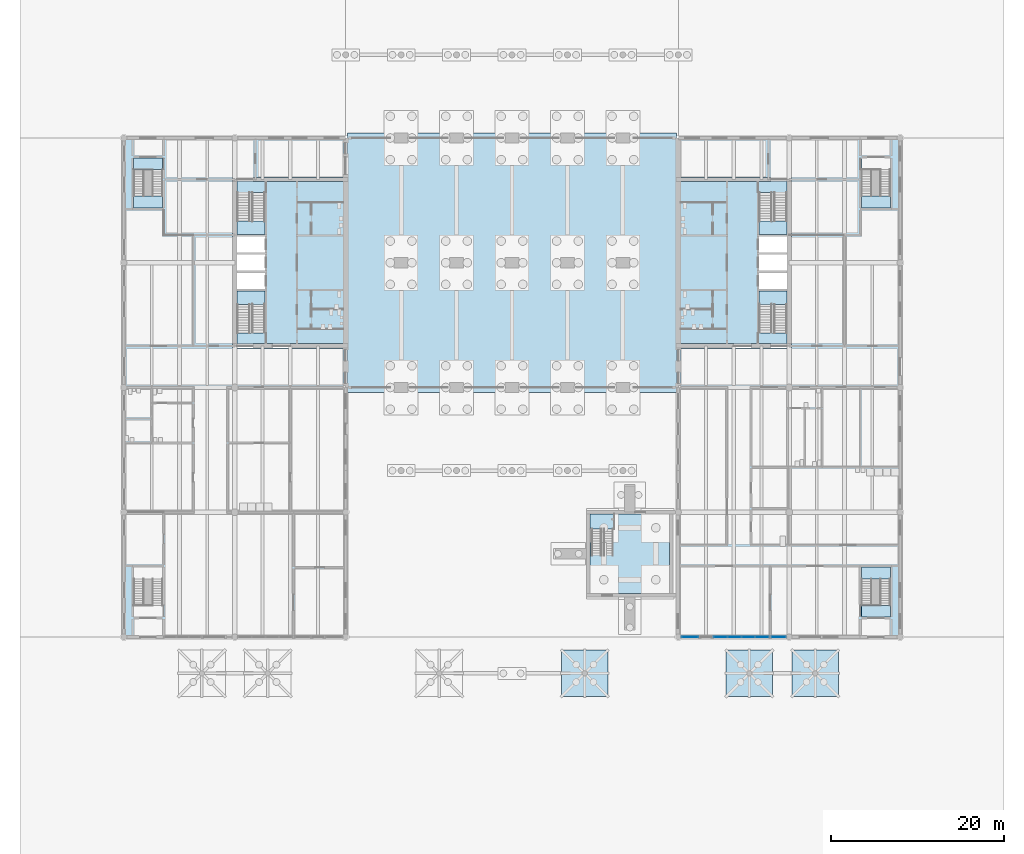
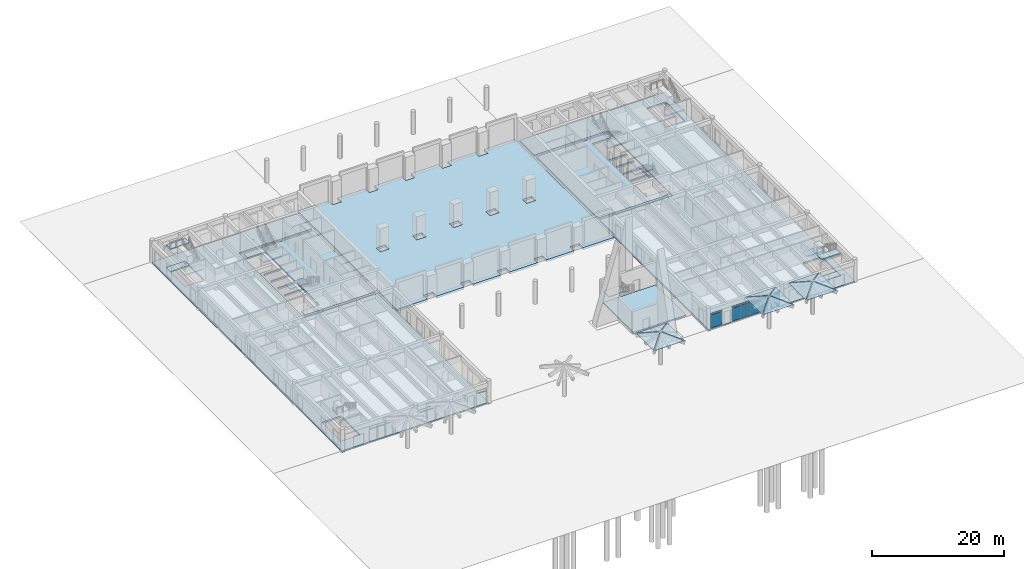
# One storey, part 10 of 28: 30 slabs, 12 plates, 11 elements without a shape of their own.
"""IFC4 building model written with IfcOpenShell, lengths in metres."""

from ifc_helpers import new_model, si_unit, direction, frame, origin, origin_2d, place, context, subcontext, project, spatial, polyline, rectangle, outline, extrude, material, layer, layer_set, type_object, element, aggregate, save


model = new_model("IFC4")

# Units and contexts
model_context = context("Model", 3, precision=1e-05, world=origin(), true_north=direction((0.0, 1.0)))
body_context = subcontext(model_context, "Body", "Model", "MODEL_VIEW")
ifc_project = project(units=[si_unit("LENGTHUNIT", "METRE"), si_unit("AREAUNIT", "SQUARE_METRE"), si_unit("VOLUMEUNIT", "CUBIC_METRE"), si_unit("PLANEANGLEUNIT", "RADIAN"), si_unit("MASSUNIT", "GRAM", prefix="KILO")], contexts=[model_context])

# Site, building, storey
site_placement = place(None, origin())
site = spatial("IfcSite", under=ifc_project, at=site_placement, CompositionType="ELEMENT")
building_placement = place(site_placement, origin())
building = spatial("IfcBuilding", under=site, at=building_placement, Name="Fogon Plaza Fire Station and Headquarters Tower", CompositionType="ELEMENT")
storey_placement = place(building_placement, origin())
storey = spatial("IfcBuildingStorey", under=building, at=storey_placement, Name="L00", CompositionType="ELEMENT", Elevation=0.0)

# Slabs
ifc_material_1 = material(Name="Concrete C40", Category="concrete")
ifc_layer_1 = layer(ifc_material_1, 0.25)
ifc_layer_set_1 = layer_set([ifc_layer_1], Name="Concrete C40")
slab_type_1 = type_object("IfcSlabType", Name="Base slab 250 G25", PredefinedType="BASESLAB", material=ifc_layer_set_1)
slab_1_placement = place(storey_placement, frame((0.0, 0.0, -0.25)))
element("IfcSlab", 1, at=slab_1_placement, inside=storey, type_object=slab_type_1, Name="slab-drill-L00", PredefinedType="BASESLAB", context=body_context, shape_type="SweptSolid", body=[
    extrude(outline(polyline([(63.0, 5.0), (63.0, 14.199951171875), (53.800048828125, 14.199951171875), (53.800048828125, 5.0), (63.0, 5.0)])), origin(), (0.0, 0.0, 1.0), 0.25),
])
ifc_material_2 = material(Name="Concrete C40", Category="concrete")
ifc_layer_2 = layer(ifc_material_2, 0.39990234375)
ifc_layer_set_2 = layer_set([ifc_layer_2], Name="Concrete C40")
slab_type_2 = type_object("IfcSlabType", Name="Base slab 400 S40", PredefinedType="BASESLAB", material=ifc_layer_set_2)
slab_2_placement = place(storey_placement, frame((0.0, 0.0, -0.39990234375)))
element("IfcSlab", 2, at=slab_2_placement, inside=storey, type_object=slab_type_2, Name="slab-bay-grade", PredefinedType="BASESLAB", context=body_context, shape_type="SweptSolid", body=[
    extrude(outline(polyline([(63.77490234375, 28.199951171875), (58.39990234375, 28.199951171875), (58.39990234375, 29.39990234375), (56.800048828125, 29.39990234375), (56.800048828125, 28.199951171875), (52.0, 28.199951171875), (52.0, 29.39990234375), (50.39990234375, 29.39990234375), (50.39990234375, 28.199951171875), (45.60009765625, 28.199951171875), (45.60009765625, 29.39990234375), (44.0, 29.39990234375), (44.0, 28.199951171875), (39.199951171875, 28.199951171875), (39.199951171875, 29.39990234375), (37.60009765625, 29.39990234375), (37.60009765625, 28.199951171875), (32.800048828125, 28.199951171875), (32.800048828125, 29.39990234375), (31.199951171875, 29.39990234375), (31.199951171875, 28.199951171875), (25.824951171875, 28.199951171875), (25.824951171875, 33.35009765625), (25.85009765625, 33.35009765625), (25.85009765625, 53.050048828125), (25.824951171875, 53.050048828125), (25.824951171875, 58.199951171875), (31.199951171875, 58.199951171875), (31.199951171875, 57.0), (32.800048828125, 57.0), (32.800048828125, 58.199951171875), (37.60009765625, 58.199951171875), (37.60009765625, 57.0), (39.199951171875, 57.0), (39.199951171875, 58.199951171875), (44.0, 58.199951171875), (44.0, 57.0), (45.60009765625, 57.0), (45.60009765625, 58.199951171875), (50.39990234375, 58.199951171875), (50.39990234375, 57.0), (52.0, 57.0), (52.0, 58.199951171875), (56.800048828125, 58.199951171875), (56.800048828125, 57.0), (58.39990234375, 57.0), (58.39990234375, 58.199951171875), (63.77490234375, 58.199951171875), (63.77490234375, 53.050048828125), (63.75, 53.050048828125), (63.75, 33.35009765625), (63.77490234375, 33.35009765625), (63.77490234375, 28.199951171875)]), holes=[polyline([(32.800048828125, 43.800048828125), (31.199951171875, 43.800048828125), (31.199951171875, 42.60009765625), (32.800048828125, 42.60009765625), (32.800048828125, 43.800048828125)]), polyline([(39.199951171875, 43.800048828125), (37.60009765625, 43.800048828125), (37.60009765625, 42.60009765625), (39.199951171875, 42.60009765625), (39.199951171875, 43.800048828125)]), polyline([(45.60009765625, 43.800048828125), (44.0, 43.800048828125), (44.0, 42.60009765625), (45.60009765625, 42.60009765625), (45.60009765625, 43.800048828125)]), polyline([(52.0, 43.800048828125), (50.39990234375, 43.800048828125), (50.39990234375, 42.60009765625), (52.0, 42.60009765625), (52.0, 43.800048828125)]), polyline([(58.39990234375, 43.800048828125), (56.800048828125, 43.800048828125), (56.800048828125, 42.60009765625), (58.39990234375, 42.60009765625), (58.39990234375, 43.800048828125)])]), origin(), (0.0, 0.0, 1.0), 0.39990234375),
])
ifc_material_3 = material(Name="Concrete C40", Category="concrete")
ifc_layer_3 = layer(ifc_material_3, 0.300048828125)
ifc_layer_set_3 = layer_set([ifc_layer_3], Name="Concrete C40")
slab_type_3 = type_object("IfcSlabType", Name="Core Floor Slab RC 300", PredefinedType="FLOOR", material=ifc_layer_set_3)
slab_3_placement = place(storey_placement, frame((0.0, 0.0, -0.300048828125)))
element("IfcSlab", 3, at=slab_3_placement, inside=storey, type_object=slab_type_3, Name="Core A floor", PredefinedType="FLOOR", context=body_context, shape_type="SweptSolid", body=[
    extrude(outline(polyline([(13.050048828125, 35.110107421875), (13.050048828125, 33.85009765625), (25.35009765625, 33.85009765625), (25.35009765625, 52.550048828125), (13.050048828125, 52.550048828125), (13.050048828125, 51.2900390625), (16.27490234375, 51.2900390625), (16.27490234375, 46.47509765625), (13.050048828125, 46.47509765625), (13.050048828125, 46.22509765625), (16.27490234375, 46.22509765625), (16.27490234375, 44.375), (13.050048828125, 44.375), (13.050048828125, 44.125), (16.27490234375, 44.125), (16.27490234375, 42.27490234375), (13.050048828125, 42.27490234375), (13.050048828125, 42.02490234375), (16.27490234375, 42.02490234375), (16.27490234375, 40.175048828125), (13.050048828125, 40.175048828125), (13.050048828125, 39.925048828125), (16.27490234375, 39.925048828125), (16.27490234375, 35.110107421875), (13.050048828125, 35.110107421875)])), origin(), (0.0, 0.0, 1.0), 0.300048828125),
])
slab_4_placement = place(storey_placement, frame((0.0, 0.0, -0.300048828125)))
element("IfcSlab", 4, at=slab_4_placement, inside=storey, type_object=slab_type_3, Name="Core B floor", PredefinedType="FLOOR", context=body_context, shape_type="SweptSolid", body=[
    extrude(outline(polyline([(76.550048828125, 35.110107421875), (73.324951171875, 35.110107421875), (73.324951171875, 39.925048828125), (76.550048828125, 39.925048828125), (76.550048828125, 40.175048828125), (73.324951171875, 40.175048828125), (73.324951171875, 42.02490234375), (76.550048828125, 42.02490234375), (76.550048828125, 42.27490234375), (73.324951171875, 42.27490234375), (73.324951171875, 44.125), (76.550048828125, 44.125), (76.550048828125, 44.375), (73.324951171875, 44.375), (73.324951171875, 46.22509765625), (76.550048828125, 46.22509765625), (76.550048828125, 46.47509765625), (73.324951171875, 46.47509765625), (73.324951171875, 51.2900390625), (76.550048828125, 51.2900390625), (76.550048828125, 52.550048828125), (64.25, 52.550048828125), (64.25, 33.85009765625), (76.550048828125, 33.85009765625), (76.550048828125, 35.110107421875)])), origin(), (0.0, 0.0, 1.0), 0.300048828125),
])

# Stair, slab
ifc_material_4 = material(Name="Concrete C40", Category="concrete")
stair_type_1 = type_object("IfcStairType", Name="Drill Stair 1100", PredefinedType="HALF_TURN_STAIR", material=ifc_material_4)
stair_1_placement = place(storey_placement, origin())
stair_1 = element("IfcStair", 5, at=stair_1_placement, inside=storey, type_object=stair_type_1, Name="DT1", PredefinedType="HALF_TURN_STAIR")
ifc_material_5 = material(Name="Concrete C40", Category="concrete")
ifc_layer_4 = layer(ifc_material_5, 0.199951171875)
ifc_layer_set_4 = layer_set([ifc_layer_4], Name="Concrete C40")
slab_type_4 = type_object("IfcSlabType", Name="Drill Stair Landing 200", PredefinedType="LANDING", material=ifc_layer_set_4)
slab_5_placement = place(storey_placement, frame((0.0, 0.0, 1.89990234375)))
slab_5 = element("IfcSlab", 6, at=slab_5_placement, type_object=slab_type_4, Name="DT1 landing 1", PredefinedType="LANDING", context=body_context, shape_type="SweptSolid", body=[
    extrude(outline(polyline([(53.800048828125, 12.47998046875), (56.60009765625, 12.47998046875), (56.60009765625, 14.199951171875), (53.800048828125, 14.199951171875), (53.800048828125, 12.47998046875)])), origin(), (0.0, 0.0, 1.0), 0.2001953125),
])
aggregate(stair_1, [slab_5])

# Slabs
ifc_material_6 = material(Name="Concrete C40", Category="concrete")
ifc_layer_5 = layer(ifc_material_6, 0.300048828125)
ifc_layer_set_5 = layer_set([ifc_layer_5], Name="Concrete C40")
slab_type_5 = type_object("IfcSlabType", Name="Floor slab 300 S30", PredefinedType="FLOOR", material=ifc_layer_set_5)
slab_6_placement = place(storey_placement, frame((0.0, 0.0, -0.300048828125)))
element("IfcSlab", 7, at=slab_6_placement, inside=storey, type_object=slab_type_5, Name="slab-L00-W", PredefinedType="FLOOR", context=body_context, shape_type="SweptSolid", body=[
    extrude(outline(polyline([(25.60009765625, 0.0), (0.0, 0.0), (0.0, 57.60009765625), (25.375, 57.60009765625), (25.375, 53.050048828125), (12.550048828125, 53.050048828125), (12.550048828125, 33.35009765625), (25.375, 33.35009765625), (25.375, 28.800048828125), (25.60009765625, 28.800048828125), (25.60009765625, 0.0)]), holes=[polyline([(4.47509765625, 2.324951171875), (4.47509765625, 8.074951171875), (1.125, 8.074951171875), (1.125, 2.324951171875), (4.47509765625, 2.324951171875)]), polyline([(1.125, 49.52490234375), (4.47509765625, 49.52490234375), (4.47509765625, 55.27490234375), (1.125, 55.27490234375), (1.125, 49.52490234375)])]), origin(), (0.0, 0.0, 1.0), 0.300048828125),
])
slab_7_placement = place(storey_placement, frame((0.0, 0.0, -0.300048828125)))
element("IfcSlab", 8, at=slab_7_placement, inside=storey, type_object=slab_type_5, Name="slab-L00-E", PredefinedType="FLOOR", context=body_context, shape_type="SweptSolid", body=[
    extrude(outline(polyline([(64.0, 0.0), (89.60009765625, 0.0), (89.60009765625, 57.60009765625), (64.22509765625, 57.60009765625), (64.22509765625, 53.050048828125), (77.050048828125, 53.050048828125), (77.050048828125, 33.35009765625), (64.22509765625, 33.35009765625), (64.22509765625, 28.800048828125), (64.0, 28.800048828125), (64.0, 0.0)]), holes=[polyline([(85.125, 2.324951171875), (85.125, 8.074951171875), (88.47509765625, 8.074951171875), (88.47509765625, 2.324951171875), (85.125, 2.324951171875)]), polyline([(88.47509765625, 49.52490234375), (85.125, 49.52490234375), (85.125, 55.27490234375), (88.47509765625, 55.27490234375), (88.47509765625, 49.52490234375)])]), origin(), (0.0, 0.0, 1.0), 0.300048828125),
])
ifc_material_7 = material(Name="Concrete C40", Category="concrete")
ifc_layer_6 = layer(ifc_material_7, 0.1201171875)
ifc_layer_set_6 = layer_set([ifc_layer_6], Name="Concrete C40")
slab_type_6 = type_object("IfcSlabType", Name="Roof slab 120 R12", PredefinedType="ROOF", material=ifc_layer_set_6)
slab_8_placement = place(storey_placement, frame((50.57080078125, -6.89990234375, 5.0), z_axis=(0.0, -0.347351224218, 0.937735104939), x_axis=(0.684032398801, 0.684032398801, 0.253375915945)))
element("IfcSlab", 9, at=slab_8_placement, inside=storey, type_object=slab_type_6, Name="slab-umb-U4-1", PredefinedType="ROOF", context=body_context, shape_type="SweptSolid", body=[
    extrude(outline(polyline([(0.0, 0.0), (3.8436050620316355, -3.3306690738754696e-16), (3.597015097112746, -3.8358541534474866), (0.0, 0.0)])), origin(), (0.0, 0.0, -1.0), 0.1201171875),
])
slab_9_placement = place(storey_placement, frame((55.89990234375, -6.829345703125, 5.0), z_axis=(0.347351224218, 0.0, 0.937735104939), x_axis=(-0.684002678959, 0.684066194854, 0.253364907268)))
element("IfcSlab", 10, at=slab_9_placement, inside=storey, type_object=slab_type_6, Name="slab-umb-U4-2", PredefinedType="ROOF", context=body_context, shape_type="SweptSolid", body=[
    extrude(outline(polyline([(0.0, 0.0), (3.843772066254584, -1.6653345369377348e-16), (3.5971928151774017, -3.8356874932420437), (0.0, 0.0)])), origin(), (0.0, 0.0, -1.0), 0.1201171875),
])
slab_10_placement = place(storey_placement, frame((55.829345703125, -1.5, 5.0), z_axis=(0.0, 0.347322863268, 0.937745609775), x_axis=(-0.684036476126, -0.684036476126, 0.253353900025)))
element("IfcSlab", 11, at=slab_10_placement, inside=storey, type_object=slab_type_6, Name="slab-umb-U4-3", PredefinedType="ROOF", context=body_context, shape_type="SweptSolid", body=[
    extrude(outline(polyline([(0.0, 0.0), (3.8439390632218466, 1.3877787807814457e-16), (3.597036537910537, -3.835834047546104), (0.0, 0.0)])), origin(), (0.0, 0.0, -1.0), 0.1201171875),
])
slab_11_placement = place(storey_placement, frame((50.5, -1.57080078125, 5.0), z_axis=(-0.347322863268, 0.0, 0.937745609775), x_axis=(0.684066194854, -0.684002678959, 0.253364907268)))
element("IfcSlab", 12, at=slab_11_placement, inside=storey, type_object=slab_type_6, Name="slab-umb-U4-4", PredefinedType="ROOF", context=body_context, shape_type="SweptSolid", body=[
    extrude(outline(polyline([(0.0, 0.0), (3.843772066254584, -3.3306690738754696e-16), (3.596858813987506, -3.836000699637286), (0.0, 0.0)])), origin(), (0.0, 0.0, -1.0), 0.1201171875),
])
slab_12_placement = place(storey_placement, frame((69.57080078125, -6.89990234375, 5.0), z_axis=(0.0, -0.347351224218, 0.937735104939), x_axis=(0.684032398801, 0.684032398801, 0.253375915945)))
element("IfcSlab", 13, at=slab_12_placement, inside=storey, type_object=slab_type_6, Name="slab-umb-U5-1", PredefinedType="ROOF", context=body_context, shape_type="SweptSolid", body=[
    extrude(outline(polyline([(0.0, 0.0), (3.8436050620316355, -3.3306690738754696e-16), (3.597015097112746, -3.8358541534474866), (0.0, 0.0)])), origin(), (0.0, 0.0, -1.0), 0.1201171875),
])
slab_13_placement = place(storey_placement, frame((74.89990234375, -6.829345703125, 5.0), z_axis=(0.347351224218, 0.0, 0.937735104939), x_axis=(-0.684002678959, 0.684066194854, 0.253364907268)))
element("IfcSlab", 14, at=slab_13_placement, inside=storey, type_object=slab_type_6, Name="slab-umb-U5-2", PredefinedType="ROOF", context=body_context, shape_type="SweptSolid", body=[
    extrude(outline(polyline([(0.0, 0.0), (3.843772066254584, -1.6653345369377348e-16), (3.5971928151774017, -3.8356874932420437), (0.0, 0.0)])), origin(), (0.0, 0.0, -1.0), 0.1201171875),
])
slab_14_placement = place(storey_placement, frame((74.829345703125, -1.5, 5.0), z_axis=(0.0, 0.347322863268, 0.937745609775), x_axis=(-0.684036476126, -0.684036476126, 0.253353900025)))
element("IfcSlab", 15, at=slab_14_placement, inside=storey, type_object=slab_type_6, Name="slab-umb-U5-3", PredefinedType="ROOF", context=body_context, shape_type="SweptSolid", body=[
    extrude(outline(polyline([(0.0, 0.0), (3.8439390632218466, 1.3877787807814457e-16), (3.597036537910537, -3.835834047546104), (0.0, 0.0)])), origin(), (0.0, 0.0, -1.0), 0.1201171875),
])
slab_15_placement = place(storey_placement, frame((69.5, -1.57080078125, 5.0), z_axis=(-0.347322863268, 0.0, 0.937745609775), x_axis=(0.684066194854, -0.684002678959, 0.253364907268)))
element("IfcSlab", 16, at=slab_15_placement, inside=storey, type_object=slab_type_6, Name="slab-umb-U5-4", PredefinedType="ROOF", context=body_context, shape_type="SweptSolid", body=[
    extrude(outline(polyline([(0.0, 0.0), (3.843772066254584, -3.3306690738754696e-16), (3.596858813987506, -3.836000699637286), (0.0, 0.0)])), origin(), (0.0, 0.0, -1.0), 0.1201171875),
])
slab_16_placement = place(storey_placement, frame((77.170654296875, -6.89990234375, 5.0), z_axis=(0.0, -0.347351224218, 0.937735104939), x_axis=(0.684066194854, 0.684002678959, 0.253364907268)))
element("IfcSlab", 17, at=slab_16_placement, inside=storey, type_object=slab_type_6, Name="slab-umb-U6-1", PredefinedType="ROOF", context=body_context, shape_type="SweptSolid", body=[
    extrude(outline(polyline([(0.0, 0.0), (3.843772066254584, -1.6653345369377348e-16), (3.5971928151774017, -3.8356874932420437), (0.0, 0.0)])), origin(), (0.0, 0.0, -1.0), 0.1201171875),
])
slab_17_placement = place(storey_placement, frame((82.5, -6.829345703125, 5.0), z_axis=(0.347322863268, 0.0, 0.937745609775), x_axis=(-0.684036476126, 0.684036476126, 0.253353900025)))
element("IfcSlab", 18, at=slab_17_placement, inside=storey, type_object=slab_type_6, Name="slab-umb-U6-2", PredefinedType="ROOF", context=body_context, shape_type="SweptSolid", body=[
    extrude(outline(polyline([(0.0, 0.0), (3.8439390632218466, 1.3877787807814457e-16), (3.597036537910537, -3.835834047546104), (0.0, 0.0)])), origin(), (0.0, 0.0, -1.0), 0.1201171875),
])
slab_18_placement = place(storey_placement, frame((82.42919921875, -1.5, 5.0), z_axis=(0.0, 0.347322863268, 0.937745609775), x_axis=(-0.684002678959, -0.684066194854, 0.253364907268)))
element("IfcSlab", 19, at=slab_18_placement, inside=storey, type_object=slab_type_6, Name="slab-umb-U6-3", PredefinedType="ROOF", context=body_context, shape_type="SweptSolid", body=[
    extrude(outline(polyline([(0.0, 0.0), (3.843772066254584, -3.3306690738754696e-16), (3.596858813987506, -3.836000699637286), (0.0, 0.0)])), origin(), (0.0, 0.0, -1.0), 0.1201171875),
])
slab_19_placement = place(storey_placement, frame((77.10009765625, -1.57080078125, 5.0), z_axis=(-0.347351224218, 0.0, 0.937735104939), x_axis=(0.684032398801, -0.684032398801, 0.253375915945)))
element("IfcSlab", 20, at=slab_19_placement, inside=storey, type_object=slab_type_6, Name="slab-umb-U6-4", PredefinedType="ROOF", context=body_context, shape_type="SweptSolid", body=[
    extrude(outline(polyline([(0.0, 0.0), (3.8436050620316355, -3.3306690738754696e-16), (3.597015097112746, -3.8358541534474866), (0.0, 0.0)])), origin(), (0.0, 0.0, -1.0), 0.1201171875),
])

# Stair, slab
ifc_material_8 = material(Name="Concrete C40", Category="concrete")
stair_type_2 = type_object("IfcStairType", Name="Exit Stair Two Flights", PredefinedType="TWO_STRAIGHT_RUN_STAIR", material=ifc_material_8)
stair_2_placement = place(storey_placement, origin())
stair_2 = element("IfcStair", 21, at=stair_2_placement, inside=storey, type_object=stair_type_2, Name="Stair ST1", PredefinedType="TWO_STRAIGHT_RUN_STAIR")
ifc_material_9 = material(Name="Concrete C40", Category="concrete")
ifc_layer_7 = layer(ifc_material_9, 0.300048828125)
ifc_layer_set_7 = layer_set([ifc_layer_7], Name="Concrete C40")
slab_type_7 = type_object("IfcSlabType", Name="Stair Landing RC 300", PredefinedType="LANDING", material=ifc_layer_set_7)
slab_20_placement = place(storey_placement, frame((0.0, 0.0, 1.89990234375)))
slab_20 = element("IfcSlab", 22, at=slab_20_placement, type_object=slab_type_7, Name="ST1 landing L02", PredefinedType="LANDING", context=body_context, shape_type="SweptSolid", body=[
    extrude(outline(polyline([(16.27490234375, 38.375), (16.27490234375, 39.925048828125), (13.050048828125, 39.925048828125), (13.050048828125, 38.375), (16.27490234375, 38.375)])), origin(), (0.0, 0.0, 1.0), 0.2001953125),
])
aggregate(stair_2, [slab_20])

stair_3_placement = place(storey_placement, origin())
stair_3 = element("IfcStair", 23, at=stair_3_placement, inside=storey, type_object=stair_type_2, Name="Stair ST2", PredefinedType="TWO_STRAIGHT_RUN_STAIR")
slab_21_placement = place(storey_placement, frame((0.0, 0.0, 1.89990234375)))
slab_21 = element("IfcSlab", 24, at=slab_21_placement, type_object=slab_type_7, Name="ST2 landing L02", PredefinedType="LANDING", context=body_context, shape_type="SweptSolid", body=[
    extrude(outline(polyline([(16.27490234375, 46.47509765625), (16.27490234375, 48.02490234375), (13.050048828125, 48.02490234375), (13.050048828125, 46.47509765625), (16.27490234375, 46.47509765625)])), origin(), (0.0, 0.0, 1.0), 0.2001953125),
])
aggregate(stair_3, [slab_21])

stair_4_placement = place(storey_placement, origin())
stair_4 = element("IfcStair", 25, at=stair_4_placement, inside=storey, type_object=stair_type_2, Name="Stair ST3", PredefinedType="TWO_STRAIGHT_RUN_STAIR")
slab_22_placement = place(storey_placement, frame((0.0, 0.0, 1.89990234375)))
slab_22 = element("IfcSlab", 26, at=slab_22_placement, type_object=slab_type_7, Name="ST3 landing L02", PredefinedType="LANDING", context=body_context, shape_type="SweptSolid", body=[
    extrude(outline(polyline([(73.324951171875, 38.375), (76.550048828125, 38.375), (76.550048828125, 39.925048828125), (73.324951171875, 39.925048828125), (73.324951171875, 38.375)])), origin(), (0.0, 0.0, 1.0), 0.2001953125),
])
aggregate(stair_4, [slab_22])

stair_5_placement = place(storey_placement, origin())
stair_5 = element("IfcStair", 27, at=stair_5_placement, inside=storey, type_object=stair_type_2, Name="Stair ST4", PredefinedType="TWO_STRAIGHT_RUN_STAIR")
slab_23_placement = place(storey_placement, frame((0.0, 0.0, 1.89990234375)))
slab_23 = element("IfcSlab", 28, at=slab_23_placement, type_object=slab_type_7, Name="ST4 landing L02", PredefinedType="LANDING", context=body_context, shape_type="SweptSolid", body=[
    extrude(outline(polyline([(73.324951171875, 46.47509765625), (76.550048828125, 46.47509765625), (76.550048828125, 48.02490234375), (73.324951171875, 48.02490234375), (73.324951171875, 46.47509765625)])), origin(), (0.0, 0.0, 1.0), 0.2001953125),
])
aggregate(stair_5, [slab_23])

# Curtain wall, plates
ifc_material_10 = material(Name="Aluminium and glass", Category="aluminium")
ifc_layer_8 = layer(ifc_material_10, 0.14990234375)
ifc_layer_set_8 = layer_set([ifc_layer_8], Name="Aluminium and glass")
curtain_wall_type_1 = type_object("IfcCurtainWallType", Name="Unitised Curtain Wall Run 6450x3000", PredefinedType="NOTDEFINED", material=ifc_layer_set_8)
curtain_wall_1_placement = place(storey_placement, origin())
curtain_wall_1 = element("IfcCurtainWall", 29, at=curtain_wall_1_placement, inside=storey, type_object=curtain_wall_type_1, Name="CW-6450x3000 ES L00", PredefinedType="NOTDEFINED")
ifc_material_11 = material(Name="Low-e double glazing", Category="glass")
ifc_layer_9 = layer(ifc_material_11, 0.028076171875)
ifc_layer_set_9 = layer_set([ifc_layer_9], Name="Low-e double glazing")
plate_type_1 = type_object("IfcPlateType", Name="Vision Glass Panel 1538x2220", PredefinedType="CURTAIN_PANEL", material=ifc_layer_set_9)
plate_1_placement = place(storey_placement, frame((68.878662109375, 0.0, 0.1201171875), z_axis=(0.0, 0.0, 1.0), x_axis=(1.0, 0.0, 0.0)))
plate_1 = element("IfcPlate", 30, at=plate_1_placement, type_object=plate_type_1, Name="VG-1538x2220 panel 1.1", PredefinedType="CURTAIN_PANEL", context=body_context, shape_type="SweptSolid", body=[
    extrude(rectangle(XDim=1.53759765625, YDim=0.028076171875, at=origin_2d()), origin(), (0.0, 0.0, 1.0), 2.219970703125),
])
plate_2_placement = place(storey_placement, frame((70.476318359375, 0.0, 0.1201171875), z_axis=(0.0, 0.0, 1.0), x_axis=(1.0, 0.0, 0.0)))
plate_2 = element("IfcPlate", 31, at=plate_2_placement, type_object=plate_type_1, Name="VG-1538x2220 panel 2.1", PredefinedType="CURTAIN_PANEL", context=body_context, shape_type="SweptSolid", body=[
    extrude(rectangle(XDim=1.53759765625, YDim=0.028076171875, at=origin_2d()), origin(), (0.0, 0.0, 1.0), 2.219970703125),
])
plate_3_placement = place(storey_placement, frame((72.07373046875, 0.0, 0.1201171875), z_axis=(0.0, 0.0, 1.0), x_axis=(1.0, 0.0, 0.0)))
plate_3 = element("IfcPlate", 32, at=plate_3_placement, type_object=plate_type_1, Name="VG-1538x2220 panel 3.1", PredefinedType="CURTAIN_PANEL", context=body_context, shape_type="SweptSolid", body=[
    extrude(rectangle(XDim=1.53759765625, YDim=0.028076171875, at=origin_2d()), origin(), (0.0, 0.0, 1.0), 2.219970703125),
])
plate_4_placement = place(storey_placement, frame((73.671142578125, 0.0, 0.1201171875), z_axis=(0.0, 0.0, 1.0), x_axis=(1.0, 0.0, 0.0)))
plate_4 = element("IfcPlate", 33, at=plate_4_placement, type_object=plate_type_1, Name="VG-1538x2220 panel 4.1", PredefinedType="CURTAIN_PANEL", context=body_context, shape_type="SweptSolid", body=[
    extrude(rectangle(XDim=1.53759765625, YDim=0.028076171875, at=origin_2d()), origin(), (0.0, 0.0, 1.0), 2.219970703125),
])
ifc_material_12 = material(Name="Low-e double glazing", Category="glass")
ifc_layer_10 = layer(ifc_material_12, 0.028076171875)
ifc_layer_set_10 = layer_set([ifc_layer_10], Name="Low-e double glazing")
plate_type_2 = type_object("IfcPlateType", Name="Vision Glass Panel 1538x420", PredefinedType="CURTAIN_PANEL", material=ifc_layer_set_10)
plate_5_placement = place(storey_placement, frame((68.878662109375, 0.0, 2.4599609375), z_axis=(0.0, 0.0, 1.0), x_axis=(1.0, 0.0, 0.0)))
plate_5 = element("IfcPlate", 34, at=plate_5_placement, type_object=plate_type_2, Name="VG-1538x420 panel 1.2", PredefinedType="CURTAIN_PANEL", context=body_context, shape_type="SweptSolid", body=[
    extrude(rectangle(XDim=1.53759765625, YDim=0.028076171875, at=origin_2d()), origin(), (0.0, 0.0, 1.0), 0.419921875),
])
plate_6_placement = place(storey_placement, frame((70.476318359375, 0.0, 2.4599609375), z_axis=(0.0, 0.0, 1.0), x_axis=(1.0, 0.0, 0.0)))
plate_6 = element("IfcPlate", 35, at=plate_6_placement, type_object=plate_type_2, Name="VG-1538x420 panel 2.2", PredefinedType="CURTAIN_PANEL", context=body_context, shape_type="SweptSolid", body=[
    extrude(rectangle(XDim=1.53759765625, YDim=0.028076171875, at=origin_2d()), origin(), (0.0, 0.0, 1.0), 0.419921875),
])
plate_7_placement = place(storey_placement, frame((72.07373046875, 0.0, 2.4599609375), z_axis=(0.0, 0.0, 1.0), x_axis=(1.0, 0.0, 0.0)))
plate_7 = element("IfcPlate", 36, at=plate_7_placement, type_object=plate_type_2, Name="VG-1538x420 panel 3.2", PredefinedType="CURTAIN_PANEL", context=body_context, shape_type="SweptSolid", body=[
    extrude(rectangle(XDim=1.53759765625, YDim=0.028076171875, at=origin_2d()), origin(), (0.0, 0.0, 1.0), 0.419921875),
])
plate_8_placement = place(storey_placement, frame((73.671142578125, 0.0, 2.4599609375), z_axis=(0.0, 0.0, 1.0), x_axis=(1.0, 0.0, 0.0)))
plate_8 = element("IfcPlate", 37, at=plate_8_placement, type_object=plate_type_2, Name="VG-1538x420 panel 4.2", PredefinedType="CURTAIN_PANEL", context=body_context, shape_type="SweptSolid", body=[
    extrude(rectangle(XDim=1.53759765625, YDim=0.028076171875, at=origin_2d()), origin(), (0.0, 0.0, 1.0), 0.419921875),
])
aggregate(curtain_wall_1, [plate_1, plate_5, plate_2, plate_6, plate_3, plate_7, plate_4, plate_8])

ifc_material_13 = material(Name="Aluminium and glass", Category="aluminium")
ifc_layer_11 = layer(ifc_material_13, 0.14990234375)
ifc_layer_set_11 = layer_set([ifc_layer_11], Name="Aluminium and glass")
curtain_wall_type_2 = type_object("IfcCurtainWallType", Name="Unitised Curtain Wall Run 1750x3000", PredefinedType="NOTDEFINED", material=ifc_layer_set_11)
curtain_wall_2_placement = place(storey_placement, origin())
curtain_wall_2 = element("IfcCurtainWall", 38, at=curtain_wall_2_placement, inside=storey, type_object=curtain_wall_type_2, Name="CW-1750x3000 ES L00", PredefinedType="NOTDEFINED")
ifc_material_14 = material(Name="Low-e double glazing", Category="glass")
ifc_layer_12 = layer(ifc_material_14, 0.028076171875)
ifc_layer_set_12 = layer_set([ifc_layer_12], Name="Low-e double glazing")
plate_type_3 = type_object("IfcPlateType", Name="Vision Glass Panel 1630x2220", PredefinedType="CURTAIN_PANEL", material=ifc_layer_set_12)
plate_9_placement = place(storey_placement, frame((75.574951171875, 0.0, 0.1201171875), z_axis=(0.0, 0.0, 1.0), x_axis=(1.0, 0.0, 0.0)))
plate_9 = element("IfcPlate", 39, at=plate_9_placement, type_object=plate_type_3, Name="VG-1630x2220 panel 1.1", PredefinedType="CURTAIN_PANEL", context=body_context, shape_type="SweptSolid", body=[
    extrude(rectangle(XDim=1.6298828125, YDim=0.028076171875, at=origin_2d()), origin(), (0.0, 0.0, 1.0), 2.219970703125),
])
ifc_material_15 = material(Name="Low-e double glazing", Category="glass")
ifc_layer_13 = layer(ifc_material_15, 0.028076171875)
ifc_layer_set_13 = layer_set([ifc_layer_13], Name="Low-e double glazing")
plate_type_4 = type_object("IfcPlateType", Name="Vision Glass Panel 1630x420", PredefinedType="CURTAIN_PANEL", material=ifc_layer_set_13)
plate_10_placement = place(storey_placement, frame((75.574951171875, 0.0, 2.4599609375), z_axis=(0.0, 0.0, 1.0), x_axis=(1.0, 0.0, 0.0)))
plate_10 = element("IfcPlate", 40, at=plate_10_placement, type_object=plate_type_4, Name="VG-1630x420 panel 1.2", PredefinedType="CURTAIN_PANEL", context=body_context, shape_type="SweptSolid", body=[
    extrude(rectangle(XDim=1.6298828125, YDim=0.028076171875, at=origin_2d()), origin(), (0.0, 0.0, 1.0), 0.419921875),
])
aggregate(curtain_wall_2, [plate_9, plate_10])

ifc_material_16 = material(Name="Aluminium and glass", Category="aluminium")
ifc_layer_14 = layer(ifc_material_16, 0.14990234375)
ifc_layer_set_14 = layer_set([ifc_layer_14], Name="Aluminium and glass")
curtain_wall_type_3 = type_object("IfcCurtainWallType", Name="Unitised Curtain Wall Run 2000x3000", PredefinedType="NOTDEFINED", material=ifc_layer_set_14)
curtain_wall_3_placement = place(storey_placement, origin())
curtain_wall_3 = element("IfcCurtainWall", 41, at=curtain_wall_3_placement, inside=storey, type_object=curtain_wall_type_3, Name="CW-2000x3000 ES L00", PredefinedType="NOTDEFINED")
ifc_material_17 = material(Name="Low-e double glazing", Category="glass")
ifc_layer_15 = layer(ifc_material_17, 0.028076171875)
ifc_layer_set_15 = layer_set([ifc_layer_15], Name="Low-e double glazing")
plate_type_5 = type_object("IfcPlateType", Name="Vision Glass Panel 1880x2220", PredefinedType="CURTAIN_PANEL", material=ifc_layer_set_15)
plate_11_placement = place(storey_placement, frame((65.35009765625, 0.0, 0.1201171875), z_axis=(0.0, 0.0, 1.0), x_axis=(1.0, 0.0, 0.0)))
plate_11 = element("IfcPlate", 42, at=plate_11_placement, type_object=plate_type_5, Name="VG-1880x2220 panel 1.1", PredefinedType="CURTAIN_PANEL", context=body_context, shape_type="SweptSolid", body=[
    extrude(rectangle(XDim=1.8798828125, YDim=0.028076171875, at=origin_2d()), origin(), (0.0, 0.0, 1.0), 2.219970703125),
])
ifc_material_18 = material(Name="Low-e double glazing", Category="glass")
ifc_layer_16 = layer(ifc_material_18, 0.028076171875)
ifc_layer_set_16 = layer_set([ifc_layer_16], Name="Low-e double glazing")
plate_type_6 = type_object("IfcPlateType", Name="Vision Glass Panel 1880x420", PredefinedType="CURTAIN_PANEL", material=ifc_layer_set_16)
plate_12_placement = place(storey_placement, frame((65.35009765625, 0.0, 2.4599609375), z_axis=(0.0, 0.0, 1.0), x_axis=(1.0, 0.0, 0.0)))
plate_12 = element("IfcPlate", 43, at=plate_12_placement, type_object=plate_type_6, Name="VG-1880x420 panel 1.2", PredefinedType="CURTAIN_PANEL", context=body_context, shape_type="SweptSolid", body=[
    extrude(rectangle(XDim=1.8798828125, YDim=0.028076171875, at=origin_2d()), origin(), (0.0, 0.0, 1.0), 0.419921875),
])
aggregate(curtain_wall_3, [plate_11, plate_12])

# Stair, slabs
ifc_material_19 = material(Name="Concrete C40", Category="concrete")
stair_type_3 = type_object("IfcStairType", Name="Wing Stair 1200", PredefinedType="HALF_TURN_STAIR", material=ifc_material_19)
stair_6_placement = place(storey_placement, origin())
stair_6 = element("IfcStair", 44, at=stair_6_placement, inside=storey, type_object=stair_type_3, Name="ST5", PredefinedType="HALF_TURN_STAIR")
ifc_material_20 = material(Name="Concrete C40", Category="concrete")
ifc_layer_17 = layer(ifc_material_20, 0.199951171875)
ifc_layer_set_17 = layer_set([ifc_layer_17], Name="Concrete C40")
slab_type_8 = type_object("IfcSlabType", Name="Wing Stair Landing 200", PredefinedType="LANDING", material=ifc_layer_set_17)
slab_24_placement = place(storey_placement, frame((0.0, 0.0, -0.199951171875)))
slab_24 = element("IfcSlab", 45, at=slab_24_placement, type_object=slab_type_8, Name="ST5 landing 1", PredefinedType="LANDING", context=body_context, shape_type="SweptSolid", body=[
    extrude(outline(polyline([(1.125, 53.97509765625), (4.47509765625, 53.97509765625), (4.47509765625, 55.27490234375), (1.125, 55.27490234375), (1.125, 53.97509765625)])), origin(), (0.0, 0.0, 1.0), 0.199951171875),
])
slab_25_placement = place(storey_placement, frame((0.0, 0.0, 1.89990234375)))
slab_25 = element("IfcSlab", 46, at=slab_25_placement, type_object=slab_type_8, Name="ST5 landing 2", PredefinedType="LANDING", context=body_context, shape_type="SweptSolid", body=[
    extrude(outline(polyline([(1.125, 49.52490234375), (4.47509765625, 49.52490234375), (4.47509765625, 50.89501953125), (1.125, 50.89501953125), (1.125, 49.52490234375)])), origin(), (0.0, 0.0, 1.0), 0.2001953125),
])
slab_26_placement = place(storey_placement, frame((0.0, 0.0, 4.0)))
slab_26 = element("IfcSlab", 47, at=slab_26_placement, type_object=slab_type_8, Name="ST5 landing 3", PredefinedType="LANDING", context=body_context, shape_type="SweptSolid", body=[
    extrude(outline(polyline([(1.125, 53.97509765625), (4.47509765625, 53.97509765625), (4.47509765625, 55.27490234375), (1.125, 55.27490234375), (1.125, 53.97509765625)])), origin(), (0.0, 0.0, 1.0), 0.199951171875),
])
aggregate(stair_6, [slab_24, slab_25, slab_26])

# Stair, slab
stair_7_placement = place(storey_placement, origin())
stair_7 = element("IfcStair", 48, at=stair_7_placement, inside=storey, type_object=stair_type_3, Name="ST7", PredefinedType="HALF_TURN_STAIR")
slab_27_placement = place(storey_placement, frame((0.0, 0.0, 1.89990234375)))
slab_27 = element("IfcSlab", 49, at=slab_27_placement, type_object=slab_type_8, Name="ST7 landing 2", PredefinedType="LANDING", context=body_context, shape_type="SweptSolid", body=[
    extrude(outline(polyline([(85.125, 49.52490234375), (88.47509765625, 49.52490234375), (88.47509765625, 50.89501953125), (85.125, 50.89501953125), (85.125, 49.52490234375)])), origin(), (0.0, 0.0, 1.0), 0.2001953125),
])
aggregate(stair_7, [slab_27])

# Stair, slabs
stair_8_placement = place(storey_placement, origin())
stair_8 = element("IfcStair", 50, at=stair_8_placement, inside=storey, type_object=stair_type_3, Name="ST8", PredefinedType="HALF_TURN_STAIR")
slab_28_placement = place(storey_placement, frame((0.0, 0.0, -0.199951171875)))
slab_28 = element("IfcSlab", 51, at=slab_28_placement, type_object=slab_type_8, Name="ST8 landing 1", PredefinedType="LANDING", context=body_context, shape_type="SweptSolid", body=[
    extrude(outline(polyline([(85.125, 2.324951171875), (88.47509765625, 2.324951171875), (88.47509765625, 3.625), (85.125, 3.625), (85.125, 2.324951171875)])), origin(), (0.0, 0.0, 1.0), 0.199951171875),
])
slab_29_placement = place(storey_placement, frame((0.0, 0.0, 1.89990234375)))
slab_29 = element("IfcSlab", 52, at=slab_29_placement, type_object=slab_type_8, Name="ST8 landing 2", PredefinedType="LANDING", context=body_context, shape_type="SweptSolid", body=[
    extrude(outline(polyline([(85.125, 6.705078125), (88.47509765625, 6.705078125), (88.47509765625, 8.074951171875), (85.125, 8.074951171875), (85.125, 6.705078125)])), origin(), (0.0, 0.0, 1.0), 0.2001953125),
])
slab_30_placement = place(storey_placement, frame((0.0, 0.0, 4.0)))
slab_30 = element("IfcSlab", 53, at=slab_30_placement, type_object=slab_type_8, Name="ST8 landing 3", PredefinedType="LANDING", context=body_context, shape_type="SweptSolid", body=[
    extrude(outline(polyline([(85.125, 2.324951171875), (88.47509765625, 2.324951171875), (88.47509765625, 3.625), (85.125, 3.625), (85.125, 2.324951171875)])), origin(), (0.0, 0.0, 1.0), 0.199951171875),
])
aggregate(stair_8, [slab_28, slab_29, slab_30])

save(model, "model.ifc")
